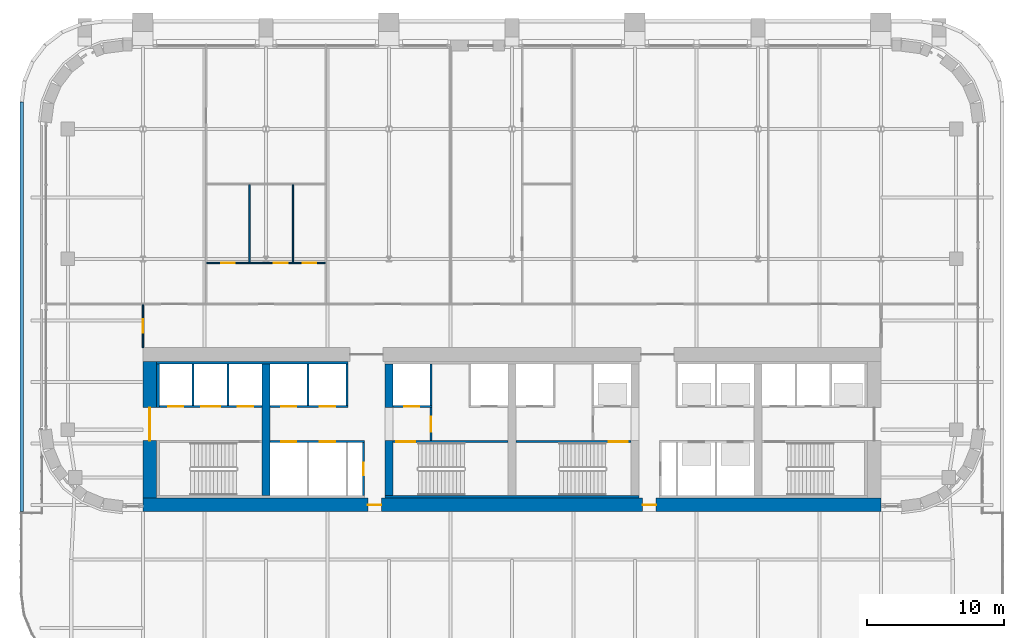
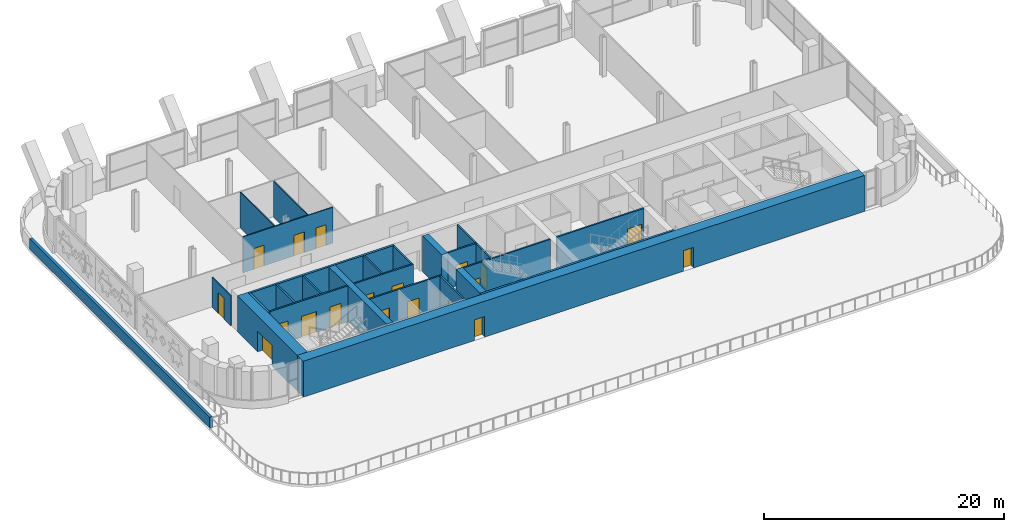
# One storey, part 15 of 26: 26 walls, 19 doors, 19 openings.
"""IFC4 building model written with IfcOpenShell, lengths in metres."""

import ifcopenshell
import ifcopenshell.guid

model = None  # the IFC model being written
_history = None  # IfcOwnerHistory: only IFC2X3 demands one
_inside = {}  # id of a spatial element -> (the spatial element, [elements in it])
_under = {}  # id of a project, library or spatial element -> (it, [spatial elements below it])
_declared = {}  # id of a project -> (the project, [libraries it declares])
_typed = {}  # id of a type object -> (the type object, [elements of that type])
_made_of = {}  # id of a material, layer set ... -> (it, [elements and type objects made of it])


def new_model(schema):
    """Start an empty IFC model of exactly this schema.

    Asked for "IFC4X3", IfcOpenShell would pick the latest addendum, in which some entities
    have other attributes; the version numbers below select the first issue.
    IFC2X3 requires an IfcOwnerHistory on every rooted entity: one is made here for all.
    """
    global model, _history
    if schema == "IFC4X3":
        model = ifcopenshell.file(schema_version=(4, 3, 0, 0))
    else:
        model = ifcopenshell.file(schema=schema)
    _inside.clear()
    _under.clear()
    _declared.clear()
    _typed.clear()
    _made_of.clear()
    _history = None
    if model.schema == "IFC2X3":
        org = make("IfcOrganization", Name="unknown")
        user = make(
            "IfcPersonAndOrganization",
            ThePerson=make("IfcPerson", FamilyName="unknown"),
            TheOrganization=org,
        )
        app = make(
            "IfcApplication",
            ApplicationDeveloper=org,
            Version="unknown",
            ApplicationFullName="unknown",
            ApplicationIdentifier="unknown",
        )
        _history = make(
            "IfcOwnerHistory",
            OwningUser=user,
            OwningApplication=app,
            ChangeAction="ADDED",
            CreationDate=0,
        )
    return model


def make(cls, **values):
    """One entity of the class cls with the attributes given. An attribute that is None is left unset."""
    return model.create_entity(
        cls, **{name: value for name, value in values.items() if value is not None}
    )


def rooted(cls, **values):
    """An entity with a GlobalId (a new one), such as an element, a storey or a relation."""
    return make(cls, GlobalId=ifcopenshell.guid.new(), OwnerHistory=_history, **values)


def si_unit(unit_type, name, prefix=None):
    """IfcSIUnit, for example si_unit("LENGTHUNIT", "METRE", prefix="MILLI")."""
    return make("IfcSIUnit", UnitType=unit_type, Prefix=prefix, Name=name)


def assignment(units):
    """IfcUnitAssignment: the units of a project."""
    return None if units is None else make("IfcUnitAssignment", Units=units)


def point(xyz):
    """IfcCartesianPoint."""
    return None if xyz is None else make("IfcCartesianPoint", Coordinates=xyz)


def direction(xyz):
    """IfcDirection."""
    return None if xyz is None else make("IfcDirection", DirectionRatios=xyz)


def frame(location, z_axis=None, x_axis=None):
    """IfcAxis2Placement3D, a coordinate frame: its origin and axes. An axis left out is left unset."""
    return make(
        "IfcAxis2Placement3D",
        Location=point(location),
        Axis=direction(z_axis),
        RefDirection=direction(x_axis),
    )


def frame_2d(location, x_axis=None):
    """IfcAxis2Placement2D, a coordinate frame in the plane: its origin and x axis."""
    return make(
        "IfcAxis2Placement2D", Location=point(location), RefDirection=direction(x_axis)
    )


def origin():
    """The frame at (0, 0, 0) with its axes left unset."""
    return frame((0.0, 0.0, 0.0))


def place(relative_to, where):
    """IfcLocalPlacement: puts the frame where relative to a parent placement (None: the world)."""
    return make(
        "IfcLocalPlacement", PlacementRelTo=relative_to, RelativePlacement=where
    )


def context(
    kind, dimensions, precision=None, world=None, true_north=None, identifier=None
):
    """IfcGeometricRepresentationContext, for example the 3D "Model" context."""
    return make(
        "IfcGeometricRepresentationContext",
        ContextIdentifier=identifier,
        ContextType=kind,
        CoordinateSpaceDimension=dimensions,
        Precision=precision,
        WorldCoordinateSystem=world,
        TrueNorth=true_north,
    )


def subcontext(parent, identifier, kind, view, scale=None):
    """IfcGeometricRepresentationSubContext, for example "Body" below "Model"."""
    return make(
        "IfcGeometricRepresentationSubContext",
        ContextIdentifier=identifier,
        ContextType=kind,
        ParentContext=parent,
        TargetScale=scale,
        TargetView=view,
    )


def project(units=None, contexts=None):
    """IfcProject with its units and contexts."""
    return rooted(
        "IfcProject",
        Name="project",
        RepresentationContexts=contexts,
        UnitsInContext=assignment(units),
    )


def spatial(cls, under=None, at=None, **own):
    """A site, building, storey or space (cls), placed at a placement, below another one or the project."""
    s = rooted(cls, ObjectPlacement=at, **own)
    if under is not None:
        _under.setdefault(under.id(), (under, []))[1].append(s)
    return s


def profile(cls, at=None, kind="AREA", **sizes):
    """A parametric profile (cls). Its sizes go by their IFC names, for example OverallWidth=200.0."""
    return make(cls, ProfileType=kind, Position=at, **sizes)


def rectangle(**sizes):
    """IfcRectangleProfileDef."""
    return profile("IfcRectangleProfileDef", **sizes)


def extrude(swept, where, along, depth):
    """IfcExtrudedAreaSolid: the profile swept, set in the frame where, extruded along a direction by depth."""
    return make(
        "IfcExtrudedAreaSolid",
        SweptArea=swept,
        Position=where,
        ExtrudedDirection=direction(along),
        Depth=depth,
    )


def shape(context_of_items, identifier, shape_type, items):
    """IfcShapeRepresentation: the items that make up one representation, for example the "Body"."""
    return make(
        "IfcShapeRepresentation",
        ContextOfItems=context_of_items,
        RepresentationIdentifier=identifier,
        RepresentationType=shape_type,
        Items=items,
    )


def material(Name=None, Category=None):
    """IfcMaterial."""
    return make("IfcMaterial", Name=Name, Category=Category)


def layer(
    of_material, thickness, ventilated=None, Name=None, Category=None, Priority=None
):
    """IfcMaterialLayer: one layer of a wall or slab, of a material (None: an air gap)."""
    return make(
        "IfcMaterialLayer",
        Material=of_material,
        LayerThickness=thickness,
        IsVentilated=ventilated,
        Name=Name,
        Category=Category,
        Priority=Priority,
    )


def layer_set(layers, Name=None):
    """IfcMaterialLayerSet."""
    return make("IfcMaterialLayerSet", MaterialLayers=layers, LayerSetName=Name)


def made_of(thing, what):
    """Note that an element or type object is made of a material, layer set ...; save() writes the relation."""
    if what is not None:
        _made_of.setdefault(what.id(), (what, []))[1].append(thing)
    return thing


def type_object(cls, material=None, **own):
    """A type object (cls), such as IfcWallType, which elements share."""
    return made_of(rooted(cls, **own), material)


def element(
    cls,
    number,
    at=None,
    inside=None,
    cuts=None,
    type_object=None,
    material=None,
    context=None,
    identifier="Body",
    shape_type=None,
    held_by="IfcProductDefinitionShape",
    body=None,
    shapes=None,
    **own,
):
    """One element of the class cls, such as IfcWall. Its Tag is "e" and its number.

    at: its placement. inside: the storey or other place that contains it. cuts: it is an
    opening in that element (IfcRelVoidsElement). A single representation is given by context,
    identifier, shape_type and body (its items); several are given by shapes. held_by: the class
    of the entity that holds the representations. save() writes the other relations.
    """
    e = rooted(cls, Tag="e%d" % number, ObjectPlacement=at, **own)
    if body is not None:
        shapes = [shape(context, identifier, shape_type, body)]
    if shapes is not None:
        e.Representation = make(held_by, Representations=shapes)
    if inside is not None:
        _inside.setdefault(inside.id(), (inside, []))[1].append(e)
    if cuts is not None:
        rooted(
            "IfcRelVoidsElement", RelatingBuildingElement=cuts, RelatedOpeningElement=e
        )
    if type_object is not None:
        _typed.setdefault(type_object.id(), (type_object, []))[1].append(e)
    return made_of(e, material)


def fill(opening, filler):
    """IfcRelFillsElement: the door or window that sits in an opening."""
    return rooted(
        "IfcRelFillsElement",
        RelatingOpeningElement=opening,
        RelatedBuildingElement=filler,
    )


def aggregate(whole, parts):
    """IfcRelAggregates: a whole, such as a stair, and the parts it consists of."""
    return rooted("IfcRelAggregates", RelatingObject=whole, RelatedObjects=parts)


def save(model, path):
    """Write the relations noted so far, then the file.

    IfcRelAggregates (storeys below a building ...), IfcRelContainedInSpatialStructure (elements
    in a storey), IfcRelDefinesByType, IfcRelAssociatesMaterial and IfcRelDeclares: one each for
    every whole, place, type object, material and project.
    """
    for whole, parts in _under.values():
        aggregate(whole, parts)
    for where, things in _inside.values():
        rooted(
            "IfcRelContainedInSpatialStructure",
            RelatedElements=things,
            RelatingStructure=where,
        )
    for kind, things in _typed.values():
        rooted("IfcRelDefinesByType", RelatedObjects=things, RelatingType=kind)
    for what, things in _made_of.values():
        rooted("IfcRelAssociatesMaterial", RelatedObjects=things, RelatingMaterial=what)
    for by, libraries in _declared.values():
        rooted("IfcRelDeclares", RelatingContext=by, RelatedDefinitions=libraries)
    model.write(path)


model = new_model("IFC4")

# Units and contexts
model_context = context("Model", 3, precision=1e-05, world=origin(), true_north=direction((0.0, 1.0)))
body_context = subcontext(model_context, "Body", "Model", "MODEL_VIEW")
ifc_project = project(units=[si_unit("LENGTHUNIT", "METRE"), si_unit("AREAUNIT", "SQUARE_METRE"), si_unit("VOLUMEUNIT", "CUBIC_METRE"), si_unit("PLANEANGLEUNIT", "RADIAN"), si_unit("MASSUNIT", "GRAM", prefix="KILO")], contexts=[model_context])

# Site, building, storey
site_placement = place(None, origin())
site = spatial("IfcSite", under=ifc_project, at=site_placement, CompositionType="ELEMENT")
building_placement = place(site_placement, origin())
building = spatial("IfcBuilding", under=site, at=building_placement, Name="Zellij Exchange Tower", CompositionType="ELEMENT")
storey_placement = place(building_placement, frame((0.0, 0.0, 156.5)))
storey = spatial("IfcBuildingStorey", under=building, at=storey_placement, Name="L35", CompositionType="ELEMENT", Elevation=156.5)

# Walls
ifc_material_1 = material(Name="Concrete C70/85", Category="concrete")
ifc_layer_1 = layer(ifc_material_1, 0.60009765625)
ifc_layer_set_1 = layer_set([ifc_layer_1], Name="Concrete C70/85")
wall_type_1 = type_object("IfcWallType", Name="CORE-CW 600 C70/85", PredefinedType="SHEAR", material=ifc_layer_set_1)
wall_1_placement = place(storey_placement, frame((-18.0, -12.800048828125, 0.0), z_axis=(0.0, 0.0, 1.0), x_axis=(0.0, 1.0, 0.0)))
element("IfcWall", 1, at=wall_1_placement, inside=storey, type_object=wall_type_1, Name="Core cross wall x -18 L35", PredefinedType="SHEAR", context=body_context, shape_type="SweptSolid", body=[
    extrude(rectangle(XDim=9.60009765625, YDim=0.60009765625, at=frame_2d((4.800048828125, 0.0))), origin(), (0.0, 0.0, 1.0), 3.64990234375),
])
wall_2_placement = place(storey_placement, frame((-9.0, -12.800048828125, 0.0), z_axis=(0.0, 0.0, 1.0), x_axis=(0.0, 1.0, 0.0)))
element("IfcWall", 2, at=wall_2_placement, inside=storey, type_object=wall_type_1, Name="Core cross wall pier x -9 a L35", PredefinedType="SHEAR", context=body_context, shape_type="SweptSolid", body=[
    extrude(rectangle(XDim=4.0, YDim=0.60009765625, at=frame_2d((2.0, 0.0))), origin(), (0.0, 0.0, 1.0), 3.64990234375),
])
wall_3_placement = place(storey_placement, frame((-9.0, -6.375, 0.0), z_axis=(0.0, 0.0, 1.0), x_axis=(0.0, 1.0, 0.0)))
element("IfcWall", 3, at=wall_3_placement, inside=storey, type_object=wall_type_1, Name="Core cross wall pier x -9 b L35", PredefinedType="SHEAR", context=body_context, shape_type="SweptSolid", body=[
    extrude(rectangle(XDim=3.175048828125, YDim=0.60009765625, at=frame_2d((1.58740234375, 0.0))), origin(), (0.0, 0.0, 1.0), 3.64990234375),
])
ifc_material_2 = material(Name="Concrete C30/37", Category="concrete")
ifc_layer_2 = layer(ifc_material_2, 0.199951171875)
ifc_layer_set_2 = layer_set([ifc_layer_2], Name="Concrete C30/37")
wall_type_2 = type_object("IfcWallType", Name="CORE-LW 200 C30/37", PredefinedType="SHEAR", material=ifc_layer_set_2)
wall_4_placement = place(storey_placement, frame((-26.0, -3.10009765625, 0.0), z_axis=(0.0, 0.0, 1.0), x_axis=(1.0, 0.0, 0.0)))
element("IfcWall", 4, at=wall_4_placement, inside=storey, type_object=wall_type_2, Name="Core wall lining front.0 L35", PredefinedType="SHEAR", context=body_context, shape_type="SweptSolid", body=[
    extrude(rectangle(XDim=14.0, YDim=0.199951171875, at=frame_2d((7.0, 0.0))), origin(), (0.0, 0.0, 1.0), 3.64990234375),
])
wall_5_placement = place(storey_placement, frame((-9.300048828125, -12.89990234375, 0.0), z_axis=(0.0, 0.0, 1.0), x_axis=(1.0, 0.0, 0.0)))
element("IfcWall", 5, at=wall_5_placement, inside=storey, type_object=wall_type_2, Name="Core wall lining rear.1 L35", PredefinedType="SHEAR", context=body_context, shape_type="SweptSolid", body=[
    extrude(rectangle(XDim=18.60009765625, YDim=0.199951171875, at=frame_2d((9.300048828125, 0.0))), origin(), (0.0, 0.0, 1.0), 3.64990234375),
])
wall_6_placement = place(storey_placement, frame((-25.89990234375, -6.375, 0.0), z_axis=(0.0, 0.0, 1.0), x_axis=(0.0, 1.0, 0.0)))
element("IfcWall", 6, at=wall_6_placement, inside=storey, type_object=wall_type_2, Name="Core wall lining end w.1 L35", PredefinedType="SHEAR", context=body_context, shape_type="SweptSolid", body=[
    extrude(rectangle(XDim=3.175048828125, YDim=0.199951171875, at=frame_2d((1.58740234375, 0.0))), origin(), (0.0, 0.0, 1.0), 3.64990234375),
])

# Wall, opening, door
ifc_material_3 = material(Name="Gypsum shaft wall system")
ifc_layer_3 = layer(ifc_material_3, 0.14990234375)
ifc_layer_set_3 = layer_set([ifc_layer_3], Name="Gypsum shaft wall system")
wall_type_3 = type_object("IfcWallType", Name="CORE-PW 150 Firefighting lobby wall", PredefinedType="PARTITIONING", material=ifc_layer_set_3)
wall_7_placement = place(storey_placement, frame((-5.925048828125, -8.800048828125, 0.0), z_axis=(0.0, 0.0, 1.0), x_axis=(0.0, 1.0, 0.0)))
wall_7 = element("IfcWall", 7, at=wall_7_placement, inside=storey, type_object=wall_type_3, Name="Firefighting lobby wall L35", PredefinedType="PARTITIONING", context=body_context, shape_type="SweptSolid", body=[
    extrude(rectangle(XDim=2.425048828125, YDim=0.14990234375, at=frame_2d((1.21240234375, 0.0))), origin(), (0.0, 0.0, 1.0), 3.64990234375),
])
opening_1_placement = place(wall_7_placement, frame((0.662109375, 0.0, 0.0)))
opening_1 = element("IfcOpeningElement", 8, at=opening_1_placement, cuts=wall_7, Name="Opening CA-19.15", PredefinedType="OPENING", context=body_context, shape_type="SweptSolid", body=[
    extrude(rectangle(XDim=1.10009765625, YDim=2.10009765625, at=frame_2d((0.550048828125, 1.050048828125))), frame((0.0, 0.0869140625, 0.0), z_axis=(0.0, -1.0, 0.0), x_axis=(1.0, 0.0, 0.0)), (0.0, 0.0, 1.0), 0.173828125),
])
ifc_material_4 = material(Name="Hollow metal fire door")
door_type_1 = type_object("IfcDoorType", Name="CORE-D F Firefighting lobby door 1100x2100 1 HR", OperationType="NOTDEFINED", PredefinedType="DOOR", material=ifc_material_4)
door_1_placement = place(opening_1_placement, origin())
door_1 = element("IfcDoor", 9, at=door_1_placement, inside=storey, type_object=door_type_1, Name="Firefighting lobby door CA-19.15", OperationType="SINGLE_SWING_LEFT", OverallHeight=2.10009765625, OverallWidth=1.10009765625, PredefinedType="DOOR", context=body_context, shape_type="SweptSolid", body=[
    extrude(rectangle(XDim=1.10009765625, YDim=2.10009765625, at=frame_2d((0.550048828125, 1.050048828125))), frame((0.0, 0.02490234375, 0.0), z_axis=(0.0, -1.0, 0.0), x_axis=(1.0, 0.0, 0.0)), (0.0, 0.0, 1.0), 0.050048828125),
])
fill(opening_1, door_1)

ifc_material_5 = material(Name="Gypsum board partition")
ifc_layer_4 = layer(ifc_material_5, 0.14990234375)
ifc_layer_set_4 = layer_set([ifc_layer_4], Name="Gypsum board partition")
wall_type_4 = type_object("IfcWallType", Name="CORE-PW 150 Lift lobby wall", PredefinedType="PARTITIONING", material=ifc_layer_set_4)
wall_8_placement = place(storey_placement, frame((-10.875, -12.800048828125, 0.0), z_axis=(0.0, 0.0, 1.0), x_axis=(0.0, 1.0, 0.0)))
wall_8 = element("IfcWall", 10, at=wall_8_placement, inside=storey, type_object=wall_type_4, Name="Lift lobby wall L35", PredefinedType="PARTITIONING", context=body_context, shape_type="SweptSolid", body=[
    extrude(rectangle(XDim=3.85009765625, YDim=0.14990234375, at=frame_2d((1.925048828125, 0.0))), origin(), (0.0, 0.0, 1.0), 3.64990234375),
])
opening_2_placement = place(wall_8_placement, frame((1.47509765625, 0.0, 0.0)))
opening_2 = element("IfcOpeningElement", 11, at=opening_2_placement, cuts=wall_8, Name="Opening CA-19.10", PredefinedType="OPENING", context=body_context, shape_type="SweptSolid", body=[
    extrude(rectangle(XDim=0.89990234375, YDim=2.10009765625, at=frame_2d((0.449951171875, 1.050048828125))), frame((0.0, 0.0869140625, 0.0), z_axis=(0.0, -1.0, 0.0), x_axis=(1.0, 0.0, 0.0)), (0.0, 0.0, 1.0), 0.173828125),
])
door_type_2 = type_object("IfcDoorType", Name="CORE-D RD Riser door 900x2100 1.5 HR", OperationType="NOTDEFINED", PredefinedType="DOOR", material=ifc_material_4)
door_2_placement = place(opening_2_placement, origin())
door_2 = element("IfcDoor", 12, at=door_2_placement, inside=storey, type_object=door_type_2, Name="Riser door CA-19.10", OperationType="SINGLE_SWING_RIGHT", OverallHeight=2.10009765625, OverallWidth=0.89990234375, PredefinedType="DOOR", context=body_context, shape_type="SweptSolid", body=[
    extrude(rectangle(XDim=0.89990234375, YDim=2.10009765625, at=frame_2d((0.449951171875, 1.050048828125))), frame((0.0, 0.02490234375, 0.0), z_axis=(0.0, -1.0, 0.0), x_axis=(1.0, 0.0, 0.0)), (0.0, 0.0, 1.0), 0.050048828125),
])
fill(opening_2, door_2)

# Walls
ifc_layer_5 = layer(ifc_material_3, 0.14990234375)
ifc_layer_set_5 = layer_set([ifc_layer_5], Name="Gypsum shaft wall system")
wall_type_5 = type_object("IfcWallType", Name="CORE-PW 150 Lift shaft wall", PredefinedType="PARTITIONING", material=ifc_layer_set_5)
for number, where, z_axis, x_axis, name in (
    (13, (-20.77490234375, -6.22509765625, 0.0), (0.0, 0.0, 1.0), (0.0, 1.0, 0.0), "Lift shaft wall L35"),
    (14, (-23.324951171875, -6.22509765625, 0.0), (0.0, 0.0, 1.0), (0.0, 1.0, 0.0), "Lift shaft wall L35"),
    (15, (-12.074951171875, -6.22509765625, 0.0), (0.0, 0.0, 1.0), (0.0, 1.0, 0.0), "Lift shaft wall L35"),
    (16, (-14.925048828125, -6.22509765625, 0.0), (0.0, 0.0, 1.0), (0.0, 1.0, 0.0), "Lift shaft wall L35"),
    (17, (-5.925048828125, -6.22509765625, 0.0), (0.0, 0.0, 1.0), (0.0, 1.0, 0.0), "Lift shaft wall L35"),
):
    element("IfcWall", number, at=place(storey_placement, frame(where, z_axis=z_axis, x_axis=x_axis)), inside=storey, type_object=wall_type_5, Name=name, PredefinedType="PARTITIONING", context=body_context, shape_type="SweptSolid", body=[
        extrude(rectangle(XDim=3.025146484375, YDim=0.14990234375, at=frame_2d((1.5126953125, 0.0))), origin(), (0.0, 0.0, 1.0), 3.64990234375),
    ])

# Wall, openings, doors
wall_9_placement = place(storey_placement, frame((-25.800048828125, -6.300048828125, 0.0), z_axis=(0.0, 0.0, 1.0), x_axis=(1.0, 0.0, 0.0)))
wall_9 = element("IfcWall", 18, at=wall_9_placement, inside=storey, type_object=wall_type_5, Name="Lift shaft wall L35", PredefinedType="PARTITIONING", context=body_context, shape_type="SweptSolid", body=[
    extrude(rectangle(XDim=7.5, YDim=0.14990234375, at=frame_2d((3.75, 0.0))), origin(), (0.0, 0.0, 1.0), 3.64990234375),
])
opening_3_placement = place(wall_9_placement, frame((0.64990234375, 0.0, 0.0)))
opening_3 = element("IfcOpeningElement", 19, at=opening_3_placement, cuts=wall_9, Name="Opening CA-19.02", PredefinedType="OPENING", context=body_context, shape_type="SweptSolid", body=[
    extrude(rectangle(XDim=1.10009765625, YDim=2.10009765625, at=frame_2d((0.550048828125, 1.050048828125))), frame((0.0, 0.0869140625, 0.0), z_axis=(0.0, -1.0, 0.0), x_axis=(1.0, 0.0, 0.0)), (0.0, 0.0, 1.0), 0.173828125),
])
opening_4_placement = place(wall_9_placement, frame((3.050048828125, 0.0, 0.0)))
opening_4 = element("IfcOpeningElement", 20, at=opening_4_placement, cuts=wall_9, Name="Opening CA-19.03", PredefinedType="OPENING", context=body_context, shape_type="SweptSolid", body=[
    extrude(rectangle(XDim=1.39990234375, YDim=2.10009765625, at=frame_2d((0.699951171875, 1.050048828125))), frame((0.0, 0.0869140625, 0.0), z_axis=(0.0, -1.0, 0.0), x_axis=(1.0, 0.0, 0.0)), (0.0, 0.0, 1.0), 0.173828125),
])
opening_5_placement = place(wall_9_placement, frame((5.75, 0.0, 0.0)))
opening_5 = element("IfcOpeningElement", 21, at=opening_5_placement, cuts=wall_9, Name="Opening CA-19.04", PredefinedType="OPENING", context=body_context, shape_type="SweptSolid", body=[
    extrude(rectangle(XDim=1.10009765625, YDim=2.10009765625, at=frame_2d((0.550048828125, 1.050048828125))), frame((0.0, 0.0869140625, 0.0), z_axis=(0.0, -1.0, 0.0), x_axis=(1.0, 0.0, 0.0)), (0.0, 0.0, 1.0), 0.173828125),
])
door_type_3 = type_object("IfcDoorType", Name="CORE-D LD Lift landing door 1100x2100 1.5 HR", OperationType="NOTDEFINED", PredefinedType="DOOR", material=ifc_material_4)
door_3_placement = place(opening_3_placement, origin())
door_3 = element("IfcDoor", 22, at=door_3_placement, inside=storey, type_object=door_type_3, Name="Lift landing door CA-19.02", OperationType="SLIDING_TO_RIGHT", OverallHeight=2.10009765625, OverallWidth=1.10009765625, PredefinedType="DOOR", context=body_context, shape_type="SweptSolid", body=[
    extrude(rectangle(XDim=1.10009765625, YDim=2.10009765625, at=frame_2d((0.550048828125, 1.050048828125))), frame((0.0, 0.02490234375, 0.0), z_axis=(0.0, -1.0, 0.0), x_axis=(1.0, 0.0, 0.0)), (0.0, 0.0, 1.0), 0.050048828125),
])
fill(opening_3, door_3)
door_4_placement = place(opening_5_placement, origin())
door_4 = element("IfcDoor", 23, at=door_4_placement, inside=storey, type_object=door_type_3, Name="Lift landing door CA-19.04", OperationType="SLIDING_TO_RIGHT", OverallHeight=2.10009765625, OverallWidth=1.10009765625, PredefinedType="DOOR", context=body_context, shape_type="SweptSolid", body=[
    extrude(rectangle(XDim=1.10009765625, YDim=2.10009765625, at=frame_2d((0.550048828125, 1.050048828125))), frame((0.0, 0.02490234375, 0.0), z_axis=(0.0, -1.0, 0.0), x_axis=(1.0, 0.0, 0.0)), (0.0, 0.0, 1.0), 0.050048828125),
])
fill(opening_5, door_4)
door_type_4 = type_object("IfcDoorType", Name="CORE-D LD2 Service lift landing door 1400x2100 1.5 HR", OperationType="NOTDEFINED", PredefinedType="DOOR", material=ifc_material_4)
door_5_placement = place(opening_4_placement, origin())
door_5 = element("IfcDoor", 24, at=door_5_placement, inside=storey, type_object=door_type_4, Name="Service lift landing door CA-19.03", OperationType="SLIDING_TO_LEFT", OverallHeight=2.10009765625, OverallWidth=1.39990234375, PredefinedType="DOOR", context=body_context, shape_type="SweptSolid", body=[
    extrude(rectangle(XDim=1.39990234375, YDim=2.10009765625, at=frame_2d((0.699951171875, 1.050048828125))), frame((0.0, 0.02490234375, 0.0), z_axis=(0.0, -1.0, 0.0), x_axis=(1.0, 0.0, 0.0)), (0.0, 0.0, 1.0), 0.050048828125),
])
fill(opening_4, door_5)

wall_10_placement = place(storey_placement, frame((-17.699951171875, -6.300048828125, 0.0), z_axis=(0.0, 0.0, 1.0), x_axis=(1.0, 0.0, 0.0)))
wall_10 = element("IfcWall", 25, at=wall_10_placement, inside=storey, type_object=wall_type_5, Name="Lift shaft wall L35", PredefinedType="PARTITIONING", context=body_context, shape_type="SweptSolid", body=[
    extrude(rectangle(XDim=5.699951171875, YDim=0.14990234375, at=frame_2d((2.85009765625, 0.0))), origin(), (0.0, 0.0, 1.0), 3.64990234375),
])
opening_6_placement = place(wall_10_placement, frame((0.800048828125, 0.0, 0.0)))
opening_6 = element("IfcOpeningElement", 26, at=opening_6_placement, cuts=wall_10, Name="Opening CA-19.07", PredefinedType="OPENING", context=body_context, shape_type="SweptSolid", body=[
    extrude(rectangle(XDim=1.10009765625, YDim=2.10009765625, at=frame_2d((0.550048828125, 1.050048828125))), frame((0.0, 0.0869140625, 0.0), z_axis=(0.0, -1.0, 0.0), x_axis=(1.0, 0.0, 0.0)), (0.0, 0.0, 1.0), 0.173828125),
])
opening_7_placement = place(wall_10_placement, frame((3.64990234375, 0.0, 0.0)))
opening_7 = element("IfcOpeningElement", 27, at=opening_7_placement, cuts=wall_10, Name="Opening CA-19.09", PredefinedType="OPENING", context=body_context, shape_type="SweptSolid", body=[
    extrude(rectangle(XDim=1.10009765625, YDim=2.10009765625, at=frame_2d((0.550048828125, 1.050048828125))), frame((0.0, 0.0869140625, 0.0), z_axis=(0.0, -1.0, 0.0), x_axis=(1.0, 0.0, 0.0)), (0.0, 0.0, 1.0), 0.173828125),
])
door_6_placement = place(opening_6_placement, origin())
door_6 = element("IfcDoor", 28, at=door_6_placement, inside=storey, type_object=door_type_3, Name="Lift landing door CA-19.07", OperationType="SLIDING_TO_LEFT", OverallHeight=2.10009765625, OverallWidth=1.10009765625, PredefinedType="DOOR", context=body_context, shape_type="SweptSolid", body=[
    extrude(rectangle(XDim=1.10009765625, YDim=2.10009765625, at=frame_2d((0.550048828125, 1.050048828125))), frame((0.0, 0.02490234375, 0.0), z_axis=(0.0, -1.0, 0.0), x_axis=(1.0, 0.0, 0.0)), (0.0, 0.0, 1.0), 0.050048828125),
])
fill(opening_6, door_6)
door_7_placement = place(opening_7_placement, origin())
door_7 = element("IfcDoor", 29, at=door_7_placement, inside=storey, type_object=door_type_3, Name="Lift landing door CA-19.09", OperationType="SLIDING_TO_LEFT", OverallHeight=2.10009765625, OverallWidth=1.10009765625, PredefinedType="DOOR", context=body_context, shape_type="SweptSolid", body=[
    extrude(rectangle(XDim=1.10009765625, YDim=2.10009765625, at=frame_2d((0.550048828125, 1.050048828125))), frame((0.0, 0.02490234375, 0.0), z_axis=(0.0, -1.0, 0.0), x_axis=(1.0, 0.0, 0.0)), (0.0, 0.0, 1.0), 0.050048828125),
])
fill(opening_7, door_7)

# Wall, opening, door
wall_11_placement = place(storey_placement, frame((-8.699951171875, -6.300048828125, 0.0), z_axis=(0.0, 0.0, 1.0), x_axis=(1.0, 0.0, 0.0)))
wall_11 = element("IfcWall", 30, at=wall_11_placement, inside=storey, type_object=wall_type_5, Name="Lift shaft wall L35", PredefinedType="PARTITIONING", context=body_context, shape_type="SweptSolid", body=[
    extrude(rectangle(XDim=2.849853515625, YDim=0.14990234375, at=frame_2d((1.4248046875, 0.0))), origin(), (0.0, 0.0, 1.0), 3.64990234375),
])
opening_8_placement = place(wall_11_placement, frame((0.800048828125, 0.0, 0.0)))
opening_8 = element("IfcOpeningElement", 31, at=opening_8_placement, cuts=wall_11, Name="Opening CA-19.14", PredefinedType="OPENING", context=body_context, shape_type="SweptSolid", body=[
    extrude(rectangle(XDim=1.10009765625, YDim=2.10009765625, at=frame_2d((0.550048828125, 1.050048828125))), frame((0.0, 0.0869140625, 0.0), z_axis=(0.0, -1.0, 0.0), x_axis=(1.0, 0.0, 0.0)), (0.0, 0.0, 1.0), 0.173828125),
])
door_8_placement = place(opening_8_placement, origin())
door_8 = element("IfcDoor", 32, at=door_8_placement, inside=storey, type_object=door_type_3, Name="Lift landing door CA-19.14", OperationType="SLIDING_TO_RIGHT", OverallHeight=2.10009765625, OverallWidth=1.10009765625, PredefinedType="DOOR", context=body_context, shape_type="SweptSolid", body=[
    extrude(rectangle(XDim=1.10009765625, YDim=2.10009765625, at=frame_2d((0.550048828125, 1.050048828125))), frame((0.0, 0.02490234375, 0.0), z_axis=(0.0, -1.0, 0.0), x_axis=(1.0, 0.0, 0.0)), (0.0, 0.0, 1.0), 0.050048828125),
])
fill(opening_8, door_8)

# Wall, openings, doors
wall_12_placement = place(storey_placement, frame((-17.699951171875, -8.875, 0.0), z_axis=(0.0, 0.0, 1.0), x_axis=(1.0, 0.0, 0.0)))
wall_12 = element("IfcWall", 33, at=wall_12_placement, inside=storey, type_object=wall_type_5, Name="Lift shaft wall L35", PredefinedType="PARTITIONING", context=body_context, shape_type="SweptSolid", body=[
    extrude(rectangle(XDim=6.89990234375, YDim=0.14990234375, at=frame_2d((3.449951171875, 0.0))), origin(), (0.0, 0.0, 1.0), 3.64990234375),
])
opening_9_placement = place(wall_12_placement, frame((0.800048828125, 0.0, 0.0)))
opening_9 = element("IfcOpeningElement", 34, at=opening_9_placement, cuts=wall_12, Name="Opening CA-19.06", PredefinedType="OPENING", context=body_context, shape_type="SweptSolid", body=[
    extrude(rectangle(XDim=1.10009765625, YDim=2.10009765625, at=frame_2d((0.550048828125, 1.050048828125))), frame((0.0, 0.0869140625, 0.0), z_axis=(0.0, -1.0, 0.0), x_axis=(1.0, 0.0, 0.0)), (0.0, 0.0, 1.0), 0.173828125),
])
opening_10_placement = place(wall_12_placement, frame((3.64990234375, 0.0, 0.0)))
opening_10 = element("IfcOpeningElement", 35, at=opening_10_placement, cuts=wall_12, Name="Opening CA-19.08", PredefinedType="OPENING", context=body_context, shape_type="SweptSolid", body=[
    extrude(rectangle(XDim=1.10009765625, YDim=2.10009765625, at=frame_2d((0.550048828125, 1.050048828125))), frame((0.0, 0.0869140625, 0.0), z_axis=(0.0, -1.0, 0.0), x_axis=(1.0, 0.0, 0.0)), (0.0, 0.0, 1.0), 0.173828125),
])
door_9_placement = place(opening_9_placement, origin())
door_9 = element("IfcDoor", 36, at=door_9_placement, inside=storey, type_object=door_type_3, Name="Lift landing door CA-19.06", OperationType="SLIDING_TO_RIGHT", OverallHeight=2.10009765625, OverallWidth=1.10009765625, PredefinedType="DOOR", context=body_context, shape_type="SweptSolid", body=[
    extrude(rectangle(XDim=1.10009765625, YDim=2.10009765625, at=frame_2d((0.550048828125, 1.050048828125))), frame((0.0, 0.02490234375, 0.0), z_axis=(0.0, -1.0, 0.0), x_axis=(1.0, 0.0, 0.0)), (0.0, 0.0, 1.0), 0.050048828125),
])
fill(opening_9, door_9)
door_10_placement = place(opening_10_placement, origin())
door_10 = element("IfcDoor", 37, at=door_10_placement, inside=storey, type_object=door_type_3, Name="Lift landing door CA-19.08", OperationType="SLIDING_TO_RIGHT", OverallHeight=2.10009765625, OverallWidth=1.10009765625, PredefinedType="DOOR", context=body_context, shape_type="SweptSolid", body=[
    extrude(rectangle(XDim=1.10009765625, YDim=2.10009765625, at=frame_2d((0.550048828125, 1.050048828125))), frame((0.0, 0.02490234375, 0.0), z_axis=(0.0, -1.0, 0.0), x_axis=(1.0, 0.0, 0.0)), (0.0, 0.0, 1.0), 0.050048828125),
])
fill(opening_10, door_10)

ifc_layer_6 = layer(ifc_material_1, 1.0)
ifc_layer_set_6 = layer_set([ifc_layer_6], Name="Concrete C70/85")
wall_type_6 = type_object("IfcWallType", Name="CORE-SW 1000 C70/85", PredefinedType="SHEAR", material=ifc_layer_set_6)
wall_13_placement = place(storey_placement, frame((-27.0, -13.5, 0.0), z_axis=(0.0, 0.0, 1.0), x_axis=(1.0, 0.0, 0.0)))
wall_13 = element("IfcWall", 38, at=wall_13_placement, inside=storey, type_object=wall_type_6, Name="Core shear wall rear L35", PredefinedType="SHEAR", context=body_context, shape_type="SweptSolid", body=[
    extrude(rectangle(XDim=54.0, YDim=1.0, at=frame_2d((27.0, 0.0))), origin(), (0.0, 0.0, 1.0), 3.64990234375),
])
opening_11_placement = place(wall_13_placement, frame((16.449951171875, 0.0, 0.0)))
opening_11 = element("IfcOpeningElement", 39, at=opening_11_placement, cuts=wall_13, Name="Opening CA-19.12", PredefinedType="OPENING", context=body_context, shape_type="SweptSolid", body=[
    extrude(rectangle(XDim=1.0, YDim=2.10009765625, at=frame_2d((0.5, 1.050048828125))), frame((0.0, 0.511962890625, 0.0), z_axis=(0.0, -1.0, 0.0), x_axis=(1.0, 0.0, 0.0)), (0.0, 0.0, 1.0), 1.02392578125),
])
opening_12_placement = place(wall_13_placement, frame((36.550048828125, 0.0, 0.0)))
opening_12 = element("IfcOpeningElement", 40, at=opening_12_placement, cuts=wall_13, Name="Opening CA-19.21", PredefinedType="OPENING", context=body_context, shape_type="SweptSolid", body=[
    extrude(rectangle(XDim=1.0, YDim=2.10009765625, at=frame_2d((0.5, 1.050048828125))), frame((0.0, 0.511962890625, 0.0), z_axis=(0.0, -1.0, 0.0), x_axis=(1.0, 0.0, 0.0)), (0.0, 0.0, 1.0), 1.02392578125),
])
door_type_5 = type_object("IfcDoorType", Name="CORE-D CR Core rear door 1000x2100 20 MIN", OperationType="NOTDEFINED", PredefinedType="DOOR", material=ifc_material_4)
door_11_placement = place(opening_11_placement, origin())
door_11 = element("IfcDoor", 41, at=door_11_placement, inside=storey, type_object=door_type_5, Name="Core rear door CA-19.12", OperationType="SINGLE_SWING_RIGHT", OverallHeight=2.10009765625, OverallWidth=1.0, PredefinedType="DOOR", context=body_context, shape_type="SweptSolid", body=[
    extrude(rectangle(XDim=1.0, YDim=2.10009765625, at=frame_2d((0.5, 1.050048828125))), frame((0.0, 0.02490234375, 0.0), z_axis=(0.0, -1.0, 0.0), x_axis=(1.0, 0.0, 0.0)), (0.0, 0.0, 1.0), 0.050048828125),
])
fill(opening_11, door_11)
door_12_placement = place(opening_12_placement, origin())
door_12 = element("IfcDoor", 42, at=door_12_placement, inside=storey, type_object=door_type_5, Name="Core rear door CA-19.21", OperationType="SINGLE_SWING_LEFT", OverallHeight=2.10009765625, OverallWidth=1.0, PredefinedType="DOOR", context=body_context, shape_type="SweptSolid", body=[
    extrude(rectangle(XDim=1.0, YDim=2.10009765625, at=frame_2d((0.5, 1.050048828125))), frame((0.0, 0.02490234375, 0.0), z_axis=(0.0, -1.0, 0.0), x_axis=(1.0, 0.0, 0.0)), (0.0, 0.0, 1.0), 0.050048828125),
])
fill(opening_12, door_12)

# Wall, opening, door
wall_14_placement = place(storey_placement, frame((-26.5, -13.0, 0.0), z_axis=(0.0, 0.0, 1.0), x_axis=(0.0, 1.0, 0.0)))
wall_14 = element("IfcWall", 43, at=wall_14_placement, inside=storey, type_object=wall_type_6, Name="Core shear wall end w L35", PredefinedType="SHEAR", context=body_context, shape_type="SweptSolid", body=[
    extrude(rectangle(XDim=10.0, YDim=1.0, at=frame_2d((5.0, 0.0))), origin(), (0.0, 0.0, 1.0), 3.64990234375),
])
opening_13_placement = place(wall_14_placement, frame((4.2119140625, 0.0, 0.0)))
opening_13 = element("IfcOpeningElement", 44, at=opening_13_placement, cuts=wall_14, Name="Opening CA-19.01", PredefinedType="OPENING", context=body_context, shape_type="SweptSolid", body=[
    extrude(rectangle(XDim=2.39990234375, YDim=2.10009765625, at=frame_2d((1.199951171875, 1.050048828125))), frame((0.0, 0.511962890625, 0.0), z_axis=(0.0, -1.0, 0.0), x_axis=(1.0, 0.0, 0.0)), (0.0, 0.0, 1.0), 1.02392578125),
])
door_type_6 = type_object("IfcDoorType", Name="CORE-D CE Core entrance door 2400x2100 20 MIN", OperationType="NOTDEFINED", PredefinedType="DOOR", material=ifc_material_4)
door_13_placement = place(opening_13_placement, origin())
door_13 = element("IfcDoor", 45, at=door_13_placement, inside=storey, type_object=door_type_6, Name="Core entrance door CA-19.01", OperationType="DOUBLE_DOOR_SINGLE_SWING", OverallHeight=2.10009765625, OverallWidth=2.39990234375, PredefinedType="DOOR", context=body_context, shape_type="SweptSolid", body=[
    extrude(rectangle(XDim=2.39990234375, YDim=2.10009765625, at=frame_2d((1.199951171875, 1.050048828125))), frame((0.0, 0.02490234375, 0.0), z_axis=(0.0, -1.0, 0.0), x_axis=(1.0, 0.0, 0.0)), (0.0, 0.0, 1.0), 0.050048828125),
])
fill(opening_13, door_13)

ifc_layer_7 = layer(ifc_material_1, 0.14990234375)
ifc_layer_set_7 = layer_set([ifc_layer_7], Name="Concrete C70/85")
wall_type_7 = type_object("IfcWallType", Name="CORE-SWS 150 C70/85", PredefinedType="SHEAR", material=ifc_layer_set_7)
wall_15_placement = place(storey_placement, frame((-8.699951171875, -8.875, 0.0), z_axis=(0.0, 0.0, 1.0), x_axis=(1.0, 0.0, 0.0)))
wall_15 = element("IfcWall", 46, at=wall_15_placement, inside=storey, type_object=wall_type_7, Name="Stair enclosure wall L35", PredefinedType="SHEAR", context=body_context, shape_type="SweptSolid", body=[
    extrude(rectangle(XDim=8.39990234375, YDim=0.14990234375, at=frame_2d((4.199951171875, 0.0))), origin(), (0.0, 0.0, 1.0), 3.64990234375),
])
opening_14_placement = place(wall_15_placement, frame((0.22509765625, 0.0, 0.0)))
opening_14 = element("IfcOpeningElement", 47, at=opening_14_placement, cuts=wall_15, Name="Opening CA-19.13", PredefinedType="OPENING", context=body_context, shape_type="SweptSolid", body=[
    extrude(rectangle(XDim=1.39990234375, YDim=2.10009765625, at=frame_2d((0.699951171875, 1.050048828125))), frame((0.0, 0.0869140625, 0.0), z_axis=(0.0, -1.0, 0.0), x_axis=(1.0, 0.0, 0.0)), (0.0, 0.0, 1.0), 0.173828125),
])
door_type_7 = type_object("IfcDoorType", Name="CORE-D SD Stair door 1400x2100 1.5 HR", OperationType="NOTDEFINED", PredefinedType="DOOR", material=ifc_material_4)
door_14_placement = place(opening_14_placement, origin())
door_14 = element("IfcDoor", 48, at=door_14_placement, inside=storey, type_object=door_type_7, Name="Stair door CA-19.13", OperationType="DOUBLE_DOOR_SINGLE_SWING", OverallHeight=2.10009765625, OverallWidth=1.39990234375, PredefinedType="DOOR", context=body_context, shape_type="SweptSolid", body=[
    extrude(rectangle(XDim=1.39990234375, YDim=2.10009765625, at=frame_2d((0.699951171875, 1.050048828125))), frame((0.0, 0.02490234375, 0.0), z_axis=(0.0, -1.0, 0.0), x_axis=(1.0, 0.0, 0.0)), (0.0, 0.0, 1.0), 0.050048828125),
])
fill(opening_14, door_14)

wall_16_placement = place(storey_placement, frame((0.300048828125, -8.875, 0.0), z_axis=(0.0, 0.0, 1.0), x_axis=(1.0, 0.0, 0.0)))
wall_16 = element("IfcWall", 49, at=wall_16_placement, inside=storey, type_object=wall_type_7, Name="Stair enclosure wall L35", PredefinedType="SHEAR", context=body_context, shape_type="SweptSolid", body=[
    extrude(rectangle(XDim=8.39990234375, YDim=0.14990234375, at=frame_2d((4.199951171875, 0.0))), origin(), (0.0, 0.0, 1.0), 3.64990234375),
])
opening_15_placement = place(wall_16_placement, frame((6.77490234375, 0.0, 0.0)))
opening_15 = element("IfcOpeningElement", 50, at=opening_15_placement, cuts=wall_16, Name="Opening CA-19.20", PredefinedType="OPENING", context=body_context, shape_type="SweptSolid", body=[
    extrude(rectangle(XDim=1.39990234375, YDim=2.10009765625, at=frame_2d((0.699951171875, 1.050048828125))), frame((0.0, 0.0869140625, 0.0), z_axis=(0.0, -1.0, 0.0), x_axis=(1.0, 0.0, 0.0)), (0.0, 0.0, 1.0), 0.173828125),
])
door_15_placement = place(opening_15_placement, origin())
door_15 = element("IfcDoor", 51, at=door_15_placement, inside=storey, type_object=door_type_7, Name="Stair door CA-19.20", OperationType="DOUBLE_DOOR_SINGLE_SWING", OverallHeight=2.10009765625, OverallWidth=1.39990234375, PredefinedType="DOOR", context=body_context, shape_type="SweptSolid", body=[
    extrude(rectangle(XDim=1.39990234375, YDim=2.10009765625, at=frame_2d((0.699951171875, 1.050048828125))), frame((0.0, 0.02490234375, 0.0), z_axis=(0.0, -1.0, 0.0), x_axis=(1.0, 0.0, 0.0)), (0.0, 0.0, 1.0), 0.050048828125),
])
fill(opening_15, door_15)

# Wall
ifc_material_6 = material(Name="Precast concrete C40/50", Category="concrete")
ifc_layer_8 = layer(ifc_material_6, 0.25)
ifc_layer_set_8 = layer_set([ifc_layer_8], Name="Precast concrete C40/50")
wall_type_8 = type_object("IfcWallType", Name="ENV-PR1 Parapet 250", PredefinedType="PARAPET", material=ifc_layer_set_8)
wall_17_placement = place(storey_placement, frame((-35.875, 15.983642578125, 0.0), z_axis=(0.0, 0.0, 1.0), x_axis=(0.0, -1.0, 0.0)))
element("IfcWall", 52, at=wall_17_placement, inside=storey, type_object=wall_type_8, Name="fac.par.L35.02.01.15", PredefinedType="PARAPET", context=body_context, shape_type="SweptSolid", body=[
    extrude(rectangle(XDim=29.983642578125, YDim=0.25, at=frame_2d((14.99169921875, 0.0))), origin(), (0.0, 0.0, 1.0), 1.10009765625),
])

# Wall, opening, door
ifc_material_7 = material(Name="Gypsum board partition on steel studs", Category="steel")
ifc_layer_9 = layer(ifc_material_7, 0.10009765625)
ifc_layer_set_9 = layer_set([ifc_layer_9], Name="Gypsum board partition on steel studs")
wall_type_9 = type_object("IfcWallType", Name="FIT-PARTITION-100", PredefinedType="PARTITIONING", material=ifc_layer_set_9)
wall_18_placement = place(storey_placement, frame((-27.0, -2.0, 0.0), z_axis=(0.0, 0.0, 1.0), x_axis=(0.0, 1.0, 0.0)))
wall_18 = element("IfcWall", 53, at=wall_18_placement, inside=storey, type_object=wall_type_9, Name="FIT-PARTITION-100 001", PredefinedType="PARTITIONING", context=body_context, shape_type="SweptSolid", body=[
    extrude(rectangle(XDim=3.14990234375, YDim=0.10009765625, at=frame_2d((1.574951171875, 0.0))), origin(), (0.0, 0.0, 1.0), 3.0380859375),
])
opening_16_placement = place(wall_18_placement, frame((1.10009765625, 0.0, 0.0)))
opening_16 = element("IfcOpeningElement", 54, at=opening_16_placement, cuts=wall_18, Name="Opening SL2.01", PredefinedType="OPENING", context=body_context, shape_type="SweptSolid", body=[
    extrude(rectangle(XDim=1.0, YDim=2.10009765625, at=frame_2d((0.5, 1.050048828125))), frame((0.0, 0.06201171875, 0.0), z_axis=(0.0, -1.0, 0.0), x_axis=(1.0, 0.0, 0.0)), (0.0, 0.0, 1.0), 0.1240234375),
])
ifc_material_8 = material(Name="Timber door set", Category="wood")
door_type_8 = type_object("IfcDoorType", Name="FIT-D2-WIDE-1000X2100", OperationType="SINGLE_SWING_LEFT", PredefinedType="DOOR", material=ifc_material_8)
door_16_placement = place(opening_16_placement, origin())
door_16 = element("IfcDoor", 55, at=door_16_placement, inside=storey, type_object=door_type_8, Name="Door SL2.01", OperationType="SINGLE_SWING_RIGHT", OverallHeight=2.10009765625, OverallWidth=1.0, PredefinedType="DOOR", context=body_context, shape_type="SweptSolid", body=[
    extrude(rectangle(XDim=1.0, YDim=2.10009765625, at=frame_2d((0.5, 1.050048828125))), frame((0.0, 0.02490234375, 0.0), z_axis=(0.0, -1.0, 0.0), x_axis=(1.0, 0.0, 0.0)), (0.0, 0.0, 1.0), 0.050048828125),
])
fill(opening_16, door_16)

# Wall, openings, doors
wall_19_placement = place(storey_placement, frame((-22.330078125, 4.199951171875, 0.0), z_axis=(0.0, 0.0, 1.0), x_axis=(1.0, 0.0, 0.0)))
wall_19 = element("IfcWall", 56, at=wall_19_placement, inside=storey, type_object=wall_type_9, Name="FIT-PARTITION-100 010", PredefinedType="PARTITIONING", context=body_context, shape_type="SweptSolid", body=[
    extrude(rectangle(XDim=8.66015625, YDim=0.10009765625, at=frame_2d((4.330078125, 0.0))), origin(), (0.0, 0.0, 1.0), 3.64990234375),
])
opening_17_placement = place(wall_19_placement, frame((1.050048828125, 0.0, 0.0)))
opening_17 = element("IfcOpeningElement", 57, at=opening_17_placement, cuts=wall_19, Name="Opening SL2.09", PredefinedType="OPENING", context=body_context, shape_type="SweptSolid", body=[
    extrude(rectangle(XDim=1.0, YDim=2.10009765625, at=frame_2d((0.5, 1.050048828125))), frame((0.0, 0.06201171875, 0.0), z_axis=(0.0, -1.0, 0.0), x_axis=(1.0, 0.0, 0.0)), (0.0, 0.0, 1.0), 0.1240234375),
])
opening_18_placement = place(wall_19_placement, frame((4.909912109375, 0.0, 0.0)))
opening_18 = element("IfcOpeningElement", 58, at=opening_18_placement, cuts=wall_19, Name="Opening SL2.10", PredefinedType="OPENING", context=body_context, shape_type="SweptSolid", body=[
    extrude(rectangle(XDim=1.0, YDim=2.10009765625, at=frame_2d((0.5, 1.050048828125))), frame((0.0, 0.06201171875, 0.0), z_axis=(0.0, -1.0, 0.0), x_axis=(1.0, 0.0, 0.0)), (0.0, 0.0, 1.0), 0.1240234375),
])
opening_19_placement = place(wall_19_placement, frame((7.010009765625, 0.0, 0.0)))
opening_19 = element("IfcOpeningElement", 59, at=opening_19_placement, cuts=wall_19, Name="Opening SL2.11", PredefinedType="OPENING", context=body_context, shape_type="SweptSolid", body=[
    extrude(rectangle(XDim=1.0, YDim=2.10009765625, at=frame_2d((0.5, 1.050048828125))), frame((0.0, 0.06201171875, 0.0), z_axis=(0.0, -1.0, 0.0), x_axis=(1.0, 0.0, 0.0)), (0.0, 0.0, 1.0), 0.1240234375),
])
door_17_placement = place(opening_17_placement, origin())
door_17 = element("IfcDoor", 60, at=door_17_placement, inside=storey, type_object=door_type_8, Name="Door SL2.09", OperationType="SINGLE_SWING_LEFT", OverallHeight=2.10009765625, OverallWidth=1.0, PredefinedType="DOOR", context=body_context, shape_type="SweptSolid", body=[
    extrude(rectangle(XDim=1.0, YDim=2.10009765625, at=frame_2d((0.5, 1.050048828125))), frame((0.0, 0.02490234375, 0.0), z_axis=(0.0, -1.0, 0.0), x_axis=(1.0, 0.0, 0.0)), (0.0, 0.0, 1.0), 0.050048828125),
])
fill(opening_17, door_17)
door_18_placement = place(opening_18_placement, origin())
door_18 = element("IfcDoor", 61, at=door_18_placement, inside=storey, type_object=door_type_8, Name="Door SL2.10", OperationType="SINGLE_SWING_LEFT", OverallHeight=2.10009765625, OverallWidth=1.0, PredefinedType="DOOR", context=body_context, shape_type="SweptSolid", body=[
    extrude(rectangle(XDim=1.0, YDim=2.10009765625, at=frame_2d((0.5, 1.050048828125))), frame((0.0, 0.02490234375, 0.0), z_axis=(0.0, -1.0, 0.0), x_axis=(1.0, 0.0, 0.0)), (0.0, 0.0, 1.0), 0.050048828125),
])
fill(opening_18, door_18)
door_19_placement = place(opening_19_placement, origin())
door_19 = element("IfcDoor", 62, at=door_19_placement, inside=storey, type_object=door_type_8, Name="Door SL2.11", OperationType="SINGLE_SWING_RIGHT", OverallHeight=2.10009765625, OverallWidth=1.0, PredefinedType="DOOR", context=body_context, shape_type="SweptSolid", body=[
    extrude(rectangle(XDim=1.0, YDim=2.10009765625, at=frame_2d((0.5, 1.050048828125))), frame((0.0, 0.02490234375, 0.0), z_axis=(0.0, -1.0, 0.0), x_axis=(1.0, 0.0, 0.0)), (0.0, 0.0, 1.0), 0.050048828125),
])
fill(opening_19, door_19)

# Walls
for number, where, z_axis, x_axis, name in (
    (63, (-19.219970703125, 4.25, 0.0), (0.0, 0.0, 1.0), (0.0, 1.0, 0.0), "FIT-PARTITION-100 011"),
    (64, (-16.02001953125, 4.25, 0.0), (0.0, 0.0, 1.0), (0.0, 1.0, 0.0), "FIT-PARTITION-100 012"),
):
    element("IfcWall", number, at=place(storey_placement, frame(where, z_axis=z_axis, x_axis=x_axis)), inside=storey, type_object=wall_type_9, Name=name, PredefinedType="PARTITIONING", context=body_context, shape_type="SweptSolid", body=[
        extrude(rectangle(XDim=5.679931640625, YDim=0.10009765625, at=frame_2d((2.83984375, 0.0))), origin(), (0.0, 0.0, 1.0), 3.64990234375),
    ])

save(model, "model.ifc")
